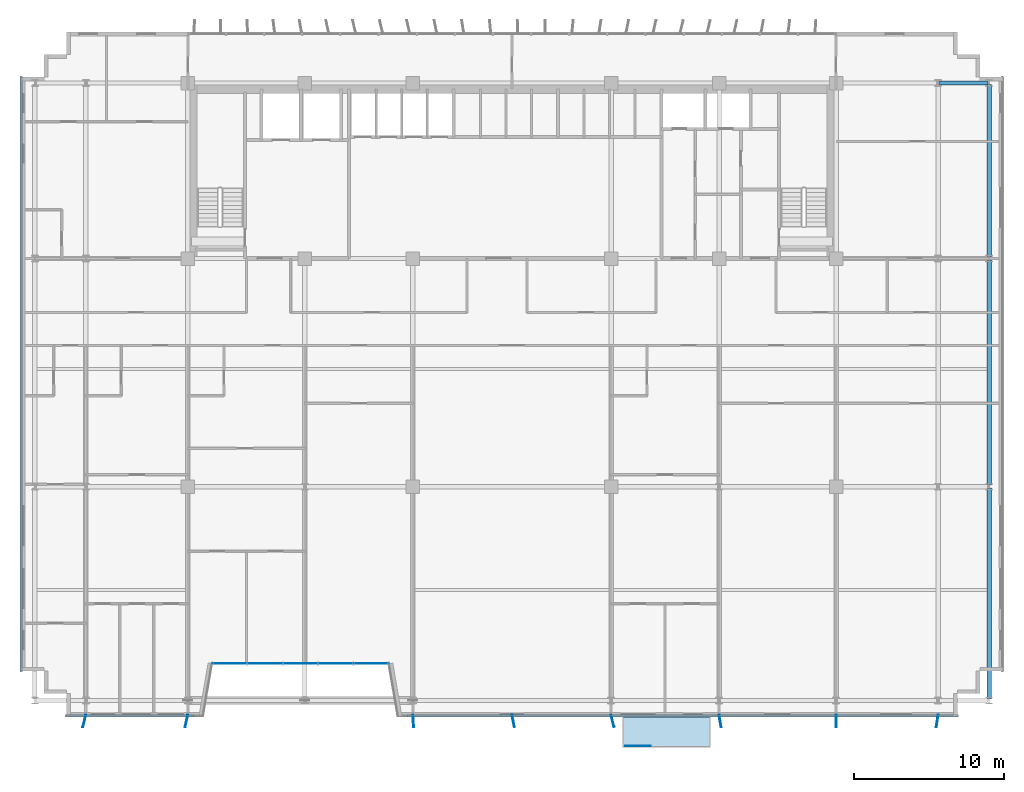
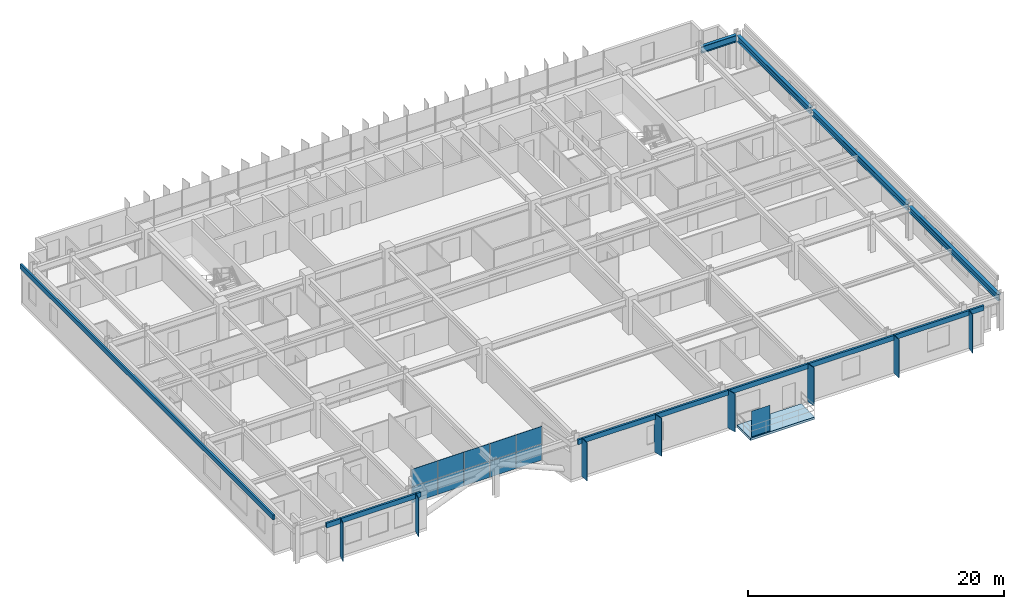
# One storey, part 16 of 25: 22 plates, 4 beams, 1 slab, 1 element without a shape of its own.
"""IFC4 building model written with IfcOpenShell, lengths in metres."""

from ifc_helpers import new_model, si_unit, direction, frame, origin, origin_2d, place, context, subcontext, project, spatial, polyline, rectangle, i_section, outline, extrude, source, transform, mapped, material, layer, layer_set, material_profile, profile_set, type_object, element, aggregate, save


model = new_model("IFC4")

# Units and contexts
model_context = context("Model", 3, precision=1e-05, world=origin(), true_north=direction((0.0, 1.0)))
body_context = subcontext(model_context, "Body", "Model", "MODEL_VIEW")
ifc_project = project(units=[si_unit("LENGTHUNIT", "METRE"), si_unit("AREAUNIT", "SQUARE_METRE"), si_unit("VOLUMEUNIT", "CUBIC_METRE"), si_unit("PLANEANGLEUNIT", "RADIAN"), si_unit("MASSUNIT", "GRAM", prefix="KILO")], contexts=[model_context])

# Site, building, storey
site_placement = place(None, origin())
site = spatial("IfcSite", under=ifc_project, at=site_placement, CompositionType="ELEMENT")
building_placement = place(site_placement, origin())
building = spatial("IfcBuilding", under=site, at=building_placement, Name="Trelvane Seafront Commons", CompositionType="ELEMENT")
storey_placement = place(building_placement, frame((0.0, 0.0, 70.300048828125)))
storey = spatial("IfcBuildingStorey", under=building, at=storey_placement, Name="L18", CompositionType="ELEMENT", Elevation=70.300048828125)

# Beams
ifc_material_1 = material(Name="Steel SM355 (S355)", Category="steel")
ifc_material_profile_1 = material_profile(ifc_material_1, i_section(OverallWidth=0.280029296875, OverallDepth=0.64990234375, WebThickness=0.012939453125, FlangeThickness=0.02197265625, at=origin_2d()), Name="H-650x280x13x22")
ifc_profile_set_1 = profile_set([ifc_material_profile_1], Name="Steel SM355 (S355)")
beam_type_1 = type_object("IfcBeamType", Name="STR-BM-H650", PredefinedType="BEAM", material=ifc_profile_set_1)
shared_shape_1 = source(origin(), body_context, "Body", "SweptSolid", [
    extrude(i_section(OverallWidth=0.280029296875, OverallDepth=0.64990234375, WebThickness=0.012939453125, FlangeThickness=0.02197265625, at=origin_2d()), origin(), (0.0, 0.0, 1.0), 3.18994140625),
])
beam_1_placement = place(storey_placement, frame((65.705078125, 45.10009765625, 2.89501953125), z_axis=(1.0, 0.0, 0.0), x_axis=(0.0, 1.0, 0.0)))
element("IfcBeam", 1, at=beam_1_placement, inside=storey, type_object=beam_type_1, Name="L18 Primary Girder G-36", PredefinedType="BEAM", context=body_context, shape_type="MappedRepresentation", body=[
    mapped(shared_shape_1, transform((0.0, 0.0, 0.0), x_axis=(1.0, 0.0, 0.0), y_axis=(0.0, 1.0, 0.0), z_axis=(0.0, 0.0, 1.0), scale=1.0)),
])
ifc_material_profile_2 = material_profile(ifc_material_1, i_section(OverallWidth=0.300048828125, OverallDepth=0.587890625, WebThickness=0.011962890625, FlangeThickness=0.02001953125, at=origin_2d()), Name="H-588x300x12x20")
ifc_profile_set_2 = profile_set([ifc_material_profile_2], Name="Steel SM355 (S355)")
beam_type_2 = type_object("IfcBeamType", Name="STR-BM-H588", PredefinedType="BEAM", material=ifc_profile_set_2)
shared_shape_2 = source(origin(), body_context, "Body", "SweptSolid", [
    extrude(i_section(OverallWidth=0.300048828125, OverallDepth=0.587890625, WebThickness=0.011962890625, FlangeThickness=0.02001953125, at=origin_2d()), origin(), (0.0, 0.0, 1.0), 14.0400390625),
])
beam_2_placement = place(storey_placement, frame((69.0, 4.054931640625, 2.926025390625), z_axis=(0.0, 1.0, 0.0), x_axis=(-1.0, 0.0, 0.0)))
element("IfcBeam", 2, at=beam_2_placement, inside=storey, type_object=beam_type_2, Name="L18 Primary Girder G-64", PredefinedType="BEAM", context=body_context, shape_type="MappedRepresentation", body=[
    mapped(shared_shape_2, transform((0.0, 0.0, 0.0), x_axis=(1.0, 0.0, 0.0), y_axis=(0.0, 1.0, 0.0), z_axis=(0.0, 0.0, 1.0), scale=1.0)),
])
shared_shape_3 = source(origin(), body_context, "Body", "SweptSolid", [
    extrude(i_section(OverallWidth=0.300048828125, OverallDepth=0.587890625, WebThickness=0.011962890625, FlangeThickness=0.02001953125, at=origin_2d()), origin(), (0.0, 0.0, 1.0), 14.989990234375),
])
beam_3_placement = place(storey_placement, frame((69.0, 18.304931640625, 2.926025390625), z_axis=(0.0, 1.0, 0.0), x_axis=(-1.0, 0.0, 0.0)))
element("IfcBeam", 3, at=beam_3_placement, inside=storey, type_object=beam_type_2, Name="L18 Primary Girder G-65", PredefinedType="BEAM", context=body_context, shape_type="MappedRepresentation", body=[
    mapped(shared_shape_3, transform((0.0, 0.0, 0.0), x_axis=(1.0, 0.0, 0.0), y_axis=(0.0, 1.0, 0.0), z_axis=(0.0, 0.0, 1.0), scale=1.0)),
])
shared_shape_4 = source(origin(), body_context, "Body", "SweptSolid", [
    extrude(i_section(OverallWidth=0.300048828125, OverallDepth=0.587890625, WebThickness=0.011962890625, FlangeThickness=0.02001953125, at=origin_2d()), origin(), (0.0, 0.0, 1.0), 11.490234375),
])
beam_4_placement = place(storey_placement, frame((69.0, 33.5048828125, 2.926025390625), z_axis=(0.0, 1.0, 0.0), x_axis=(-1.0, 0.0, 0.0)))
element("IfcBeam", 4, at=beam_4_placement, inside=storey, type_object=beam_type_2, Name="L18 Primary Girder G-66", PredefinedType="BEAM", context=body_context, shape_type="MappedRepresentation", body=[
    mapped(shared_shape_4, transform((0.0, 0.0, 0.0), x_axis=(1.0, 0.0, 0.0), y_axis=(0.0, 1.0, 0.0), z_axis=(0.0, 0.0, 1.0), scale=1.0)),
])

# Slab
ifc_material_2 = material(Name="Concrete C40/50", Category="concrete")
ifc_layer_1 = layer(ifc_material_2, 0.219970703125, Name="ARCH-BALC-220")
ifc_layer_set_1 = layer_set([ifc_layer_1], Name="Concrete C40/50")
slab_type = type_object("IfcSlabType", Name="ARCH-BALC-220", PredefinedType="FLOOR", material=ifc_layer_set_1)
slab_placement = place(storey_placement, frame((0.0, 0.0, -0.219970703125)))
element("IfcSlab", 5, at=slab_placement, inside=storey, type_object=slab_type, Name="L18 Cantilevered Tree Balcony Loggia 1", PredefinedType="FLOOR", context=body_context, shape_type="SweptSolid", body=[
    extrude(outline(polyline([(44.60009765625, 0.800048828125), (50.39990234375, 0.800048828125), (50.39990234375, 2.89990234375), (44.60009765625, 2.89990234375), (44.60009765625, 0.800048828125)])), origin(), (0.0, 0.0, 1.0), 0.219970703125),
])

# Plates
ifc_material_3 = material(Name="Perforated anodised aluminium screen", Category="aluminium")
ifc_layer_2 = layer(ifc_material_3, 0.01611328125, Name="ARCH-PLATE-SCREEN")
ifc_layer_set_2 = layer_set([ifc_layer_2], Name="Perforated anodised aluminium screen")
plate_type_1 = type_object("IfcPlateType", Name="ARCH-PLATE-SCREEN", PredefinedType="USERDEFINED", material=ifc_layer_set_2)
shared_shape_5 = source(origin(), body_context, "Body", "SweptSolid", [
    extrude(rectangle(XDim=1.681884765625, YDim=0.01611328125, at=origin_2d()), origin(), (0.0, 0.0, 1.0), 2.449951171875),
])
plate_1_placement = place(storey_placement, frame((45.591064453125, 0.919921875, 0.0), z_axis=(0.0, 0.0, 1.0), x_axis=(1.0, 0.0, 0.0)))
element("IfcPlate", 6, at=plate_1_placement, inside=storey, type_object=plate_type_1, Name="SCR-L18-00066", ObjectType="SCREEN", PredefinedType="USERDEFINED", context=body_context, shape_type="MappedRepresentation", body=[
    mapped(shared_shape_5, transform((0.0, 0.0, 0.0), x_axis=(1.0, 0.0, 0.0), y_axis=(0.0, 1.0, 0.0), z_axis=(0.0, 0.0, 1.0), scale=1.0)),
])
ifc_material_4 = material(Name="Anodised pale-silver aluminium", Category="aluminium")
ifc_layer_3 = layer(ifc_material_4, 0.06005859375, Name="ARCH-PLATE-FIN900")
ifc_layer_set_3 = layer_set([ifc_layer_3], Name="Anodised pale-silver aluminium")
plate_type_2 = type_object("IfcPlateType", Name="ARCH-PLATE-FIN900", PredefinedType="USERDEFINED", material=ifc_layer_set_3)
shared_shape_6 = source(origin(), body_context, "Body", "SweptSolid", [
    extrude(rectangle(XDim=0.85009765625, YDim=0.06005859375, at=origin_2d()), origin(), (0.0, 0.0, 1.0), 3.639892578125),
])
for number, where, z_axis, x_axis, name in (
    (7, (8.701171875, 2.586669921875, -0.02001953125), (0.0, 0.0, 1.0), (-0.23258484, -0.972576111264, 0.0), "FIN-S-L18-00447"),
    (8, (15.505859375, 2.585693359375, -0.02001953125), (0.0, 0.0, 1.0), (-0.221412338925, -0.975180278806, 0.0), "FIN-S-L18-00448"),
    (9, (30.62548828125, 2.57568359375, -0.02001953125), (0.0, 0.0, 1.0), (0.059881308574, -0.998205504334, 0.0), "FIN-S-L18-00449"),
    (10, (37.28369140625, 2.58349609375, -0.02001953125), (0.0, 0.0, 1.0), (0.197067045478, -0.980390014018, 0.0), "FIN-S-L18-00450"),
    (11, (43.902587890625, 2.587646484375, -0.02001953125), (0.0, 0.0, 1.0), (0.24117838452, -0.970480801892, 0.0), "FIN-S-L18-00451"),
    (12, (51.07373046875, 2.58154296875, -0.02001953125), (0.0, 0.0, 1.0), (0.173416132989, -0.984848640563, 0.0), "FIN-S-L18-00452"),
    (13, (58.809814453125, 2.5751953125, -0.02001953125), (0.0, 0.0, 1.0), (0.022940340447, -0.999736835762, 0.0), "FIN-S-L18-00453"),
    (14, (65.541015625, 2.5791015625, -0.02001953125), (0.0, 0.0, 1.0), (-0.138702975774, -0.990334026736, 0.0), "FIN-S-L18-00454"),
):
    element("IfcPlate", number, at=place(storey_placement, frame(where, z_axis=z_axis, x_axis=x_axis)), inside=storey, type_object=plate_type_2, Name=name, ObjectType="FIN", PredefinedType="USERDEFINED", context=body_context, shape_type="MappedRepresentation", body=[
        mapped(shared_shape_6, transform((0.0, 0.0, 0.0), x_axis=(1.0, 0.0, 0.0), y_axis=(0.0, 1.0, 0.0), z_axis=(0.0, 0.0, 1.0), scale=1.0)),
    ])
ifc_layer_4 = layer(ifc_material_4, 0.179931640625, Name="ARCH-PLATE-AERO")
ifc_layer_set_4 = layer_set([ifc_layer_4], Name="Anodised pale-silver aluminium")
plate_type_3 = type_object("IfcPlateType", Name="ARCH-PLATE-AERO", PredefinedType="SHEET", material=ifc_layer_set_4)
shared_shape_7 = source(origin(), body_context, "Body", "SweptSolid", [
    extrude(rectangle(XDim=39.60009765625, YDim=0.179931640625, at=origin_2d()), origin(), (0.0, 0.0, 1.0), 0.4599609375),
])
plate_2_placement = place(storey_placement, frame((4.5, 25.699951171875, 3.159912109375), z_axis=(0.0, 0.0, 1.0), x_axis=(0.0, 1.0, 0.0)))
element("IfcPlate", 15, at=plate_2_placement, inside=storey, type_object=plate_type_3, Name="AER-L18-00064", PredefinedType="SHEET", context=body_context, shape_type="MappedRepresentation", body=[
    mapped(shared_shape_7, transform((0.0, 0.0, 0.0), x_axis=(1.0, 0.0, 0.0), y_axis=(0.0, 1.0, 0.0), z_axis=(0.0, 0.0, 1.0), scale=1.0)),
])

# Curtain wall, plates
curtain_wall_type = type_object("IfcCurtainWallType", Name="ARCH-CW3-PORTAL", PredefinedType="NOTDEFINED", material=ifc_material_4)
curtain_wall_placement = place(storey_placement, origin())
curtain_wall = element("IfcCurtainWall", 16, at=curtain_wall_placement, inside=storey, type_object=curtain_wall_type, Name="CW-L18-VN-0044", PredefinedType="NOTDEFINED")
ifc_material_5 = material(Name="Low-E coastal double glazing", Category="glass")
ifc_layer_5 = layer(ifc_material_5, 0.033935546875, Name="ARCH-CW-GLAZ-34")
ifc_layer_set_5 = layer_set([ifc_layer_5], Name="Low-E coastal double glazing")
plate_type_4 = type_object("IfcPlateType", Name="ARCH-CW-GLAZ-34", PredefinedType="CURTAIN_PANEL", material=ifc_layer_set_5)
shared_shape_8 = source(origin(), body_context, "Body", "SweptSolid", [
    extrude(rectangle(XDim=2.3359375, YDim=0.0380859375, at=origin_2d()), origin(), (0.0, 0.0, 1.0), 1.528076171875),
])
plate_3_placement = place(storey_placement, frame((27.820068359375, 6.39990234375, 0.0), z_axis=(0.0, 0.0, 1.0), x_axis=(-1.0, 0.0, 0.0)))
plate_3 = element("IfcPlate", 17, at=plate_3_placement, type_object=plate_type_4, Name="CW-L18-VN-0044-P00-1", PredefinedType="CURTAIN_PANEL", context=body_context, shape_type="MappedRepresentation", body=[
    mapped(shared_shape_8, transform((0.0, 0.0, 0.0), x_axis=(1.0, 0.0, 0.0), y_axis=(0.0, 1.0, 0.0), z_axis=(0.0, 0.0, 1.0), scale=1.0)),
])
plate_4_placement = place(storey_placement, frame((25.4599609375, 6.39990234375, 0.0), z_axis=(0.0, 0.0, 1.0), x_axis=(-1.0, 0.0, 0.0)))
plate_4 = element("IfcPlate", 18, at=plate_4_placement, type_object=plate_type_4, Name="CW-L18-VN-0044-P01-1", PredefinedType="CURTAIN_PANEL", context=body_context, shape_type="MappedRepresentation", body=[
    mapped(shared_shape_8, transform((0.0, 0.0, 0.0), x_axis=(1.0, 0.0, 0.0), y_axis=(0.0, 1.0, 0.0), z_axis=(0.0, 0.0, 1.0), scale=1.0)),
])
plate_5_placement = place(storey_placement, frame((23.10009765625, 6.39990234375, 0.0), z_axis=(0.0, 0.0, 1.0), x_axis=(-1.0, 0.0, 0.0)))
plate_5 = element("IfcPlate", 19, at=plate_5_placement, type_object=plate_type_4, Name="CW-L18-VN-0044-P02-1", PredefinedType="CURTAIN_PANEL", context=body_context, shape_type="MappedRepresentation", body=[
    mapped(shared_shape_8, transform((0.0, 0.0, 0.0), x_axis=(1.0, 0.0, 0.0), y_axis=(0.0, 1.0, 0.0), z_axis=(0.0, 0.0, 1.0), scale=1.0)),
])
plate_6_placement = place(storey_placement, frame((20.739990234375, 6.39990234375, 0.0), z_axis=(0.0, 0.0, 1.0), x_axis=(-1.0, 0.0, 0.0)))
plate_6 = element("IfcPlate", 20, at=plate_6_placement, type_object=plate_type_4, Name="CW-L18-VN-0044-P03-1", PredefinedType="CURTAIN_PANEL", context=body_context, shape_type="MappedRepresentation", body=[
    mapped(shared_shape_8, transform((0.0, 0.0, 0.0), x_axis=(1.0, 0.0, 0.0), y_axis=(0.0, 1.0, 0.0), z_axis=(0.0, 0.0, 1.0), scale=1.0)),
])
plate_7_placement = place(storey_placement, frame((18.3798828125, 6.39990234375, 0.0), z_axis=(0.0, 0.0, 1.0), x_axis=(-1.0, 0.0, 0.0)))
plate_7 = element("IfcPlate", 21, at=plate_7_placement, type_object=plate_type_4, Name="CW-L18-VN-0044-P04-1", PredefinedType="CURTAIN_PANEL", context=body_context, shape_type="MappedRepresentation", body=[
    mapped(shared_shape_8, transform((0.0, 0.0, 0.0), x_axis=(1.0, 0.0, 0.0), y_axis=(0.0, 1.0, 0.0), z_axis=(0.0, 0.0, 1.0), scale=1.0)),
])
shared_shape_9 = source(origin(), body_context, "Body", "SweptSolid", [
    extrude(rectangle(XDim=2.3359375, YDim=0.0380859375, at=origin_2d()), origin(), (0.0, 0.0, 1.0), 1.656005859375),
])
plate_8_placement = place(storey_placement, frame((27.820068359375, 6.39990234375, 1.56396484375), z_axis=(0.0, 0.0, 1.0), x_axis=(-1.0, 0.0, 0.0)))
plate_8 = element("IfcPlate", 22, at=plate_8_placement, type_object=plate_type_4, Name="CW-L18-VN-0044-P00-2", PredefinedType="CURTAIN_PANEL", context=body_context, shape_type="MappedRepresentation", body=[
    mapped(shared_shape_9, transform((0.0, 0.0, 0.0), x_axis=(1.0, 0.0, 0.0), y_axis=(0.0, 1.0, 0.0), z_axis=(0.0, 0.0, 1.0), scale=1.0)),
])
plate_9_placement = place(storey_placement, frame((25.4599609375, 6.39990234375, 1.56396484375), z_axis=(0.0, 0.0, 1.0), x_axis=(-1.0, 0.0, 0.0)))
plate_9 = element("IfcPlate", 23, at=plate_9_placement, type_object=plate_type_4, Name="CW-L18-VN-0044-P01-2", PredefinedType="CURTAIN_PANEL", context=body_context, shape_type="MappedRepresentation", body=[
    mapped(shared_shape_9, transform((0.0, 0.0, 0.0), x_axis=(1.0, 0.0, 0.0), y_axis=(0.0, 1.0, 0.0), z_axis=(0.0, 0.0, 1.0), scale=1.0)),
])
plate_10_placement = place(storey_placement, frame((23.10009765625, 6.39990234375, 1.56396484375), z_axis=(0.0, 0.0, 1.0), x_axis=(-1.0, 0.0, 0.0)))
plate_10 = element("IfcPlate", 24, at=plate_10_placement, type_object=plate_type_4, Name="CW-L18-VN-0044-P02-2", PredefinedType="CURTAIN_PANEL", context=body_context, shape_type="MappedRepresentation", body=[
    mapped(shared_shape_9, transform((0.0, 0.0, 0.0), x_axis=(1.0, 0.0, 0.0), y_axis=(0.0, 1.0, 0.0), z_axis=(0.0, 0.0, 1.0), scale=1.0)),
])
plate_11_placement = place(storey_placement, frame((20.739990234375, 6.39990234375, 1.56396484375), z_axis=(0.0, 0.0, 1.0), x_axis=(-1.0, 0.0, 0.0)))
plate_11 = element("IfcPlate", 25, at=plate_11_placement, type_object=plate_type_4, Name="CW-L18-VN-0044-P03-2", PredefinedType="CURTAIN_PANEL", context=body_context, shape_type="MappedRepresentation", body=[
    mapped(shared_shape_9, transform((0.0, 0.0, 0.0), x_axis=(1.0, 0.0, 0.0), y_axis=(0.0, 1.0, 0.0), z_axis=(0.0, 0.0, 1.0), scale=1.0)),
])
plate_12_placement = place(storey_placement, frame((18.3798828125, 6.39990234375, 1.56396484375), z_axis=(0.0, 0.0, 1.0), x_axis=(-1.0, 0.0, 0.0)))
plate_12 = element("IfcPlate", 26, at=plate_12_placement, type_object=plate_type_4, Name="CW-L18-VN-0044-P04-2", PredefinedType="CURTAIN_PANEL", context=body_context, shape_type="MappedRepresentation", body=[
    mapped(shared_shape_9, transform((0.0, 0.0, 0.0), x_axis=(1.0, 0.0, 0.0), y_axis=(0.0, 1.0, 0.0), z_axis=(0.0, 0.0, 1.0), scale=1.0)),
])
aggregate(curtain_wall, [plate_3, plate_8, plate_4, plate_9, plate_5, plate_10, plate_6, plate_11, plate_7, plate_12])

# Plates
shared_shape_10 = source(origin(), body_context, "Body", "SweptSolid", [
    extrude(rectangle(XDim=8.5, YDim=0.179931640625, at=origin_2d()), origin(), (0.0, 0.0, 1.0), 0.4599609375),
])
plate_13_placement = place(storey_placement, frame((11.75, 2.93994140625, 3.159912109375), z_axis=(0.0, 0.0, 1.0), x_axis=(-1.0, 0.0, 0.0)))
element("IfcPlate", 27, at=plate_13_placement, inside=storey, type_object=plate_type_3, Name="AER-S-L18-00067", PredefinedType="SHEET", context=body_context, shape_type="MappedRepresentation", body=[
    mapped(shared_shape_10, transform((0.0, 0.0, 0.0), x_axis=(1.0, 0.0, 0.0), y_axis=(0.0, 1.0, 0.0), z_axis=(0.0, 0.0, 1.0), scale=1.0)),
])
shared_shape_11 = source(origin(), body_context, "Body", "SweptSolid", [
    extrude(rectangle(XDim=36.699951171875, YDim=0.179931640625, at=origin_2d()), origin(), (0.0, 0.0, 1.0), 0.4599609375),
])
plate_14_placement = place(storey_placement, frame((48.550048828125, 2.93994140625, 3.159912109375), z_axis=(0.0, 0.0, 1.0), x_axis=(-1.0, 0.0, 0.0)))
element("IfcPlate", 28, at=plate_14_placement, inside=storey, type_object=plate_type_3, Name="AER-S-L18-00068", PredefinedType="SHEET", context=body_context, shape_type="MappedRepresentation", body=[
    mapped(shared_shape_11, transform((0.0, 0.0, 0.0), x_axis=(1.0, 0.0, 0.0), y_axis=(0.0, 1.0, 0.0), z_axis=(0.0, 0.0, 1.0), scale=1.0)),
])

save(model, "model.ifc")
